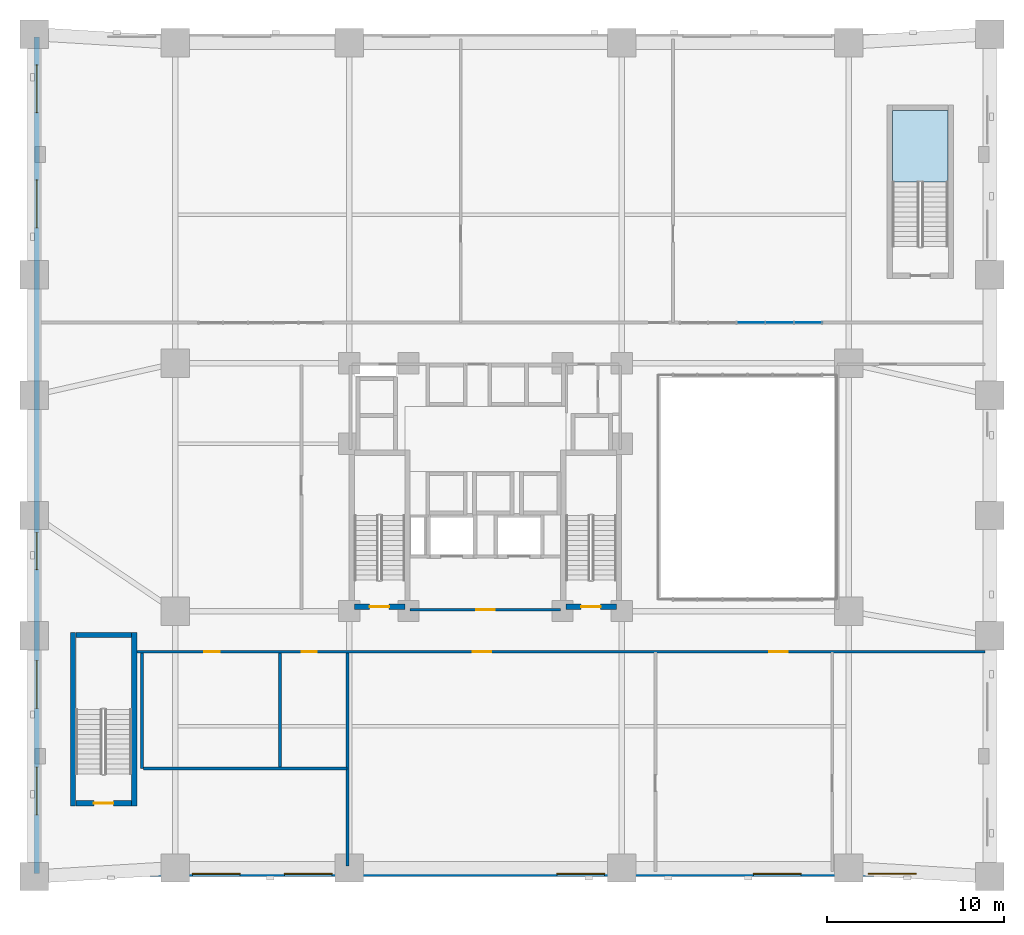
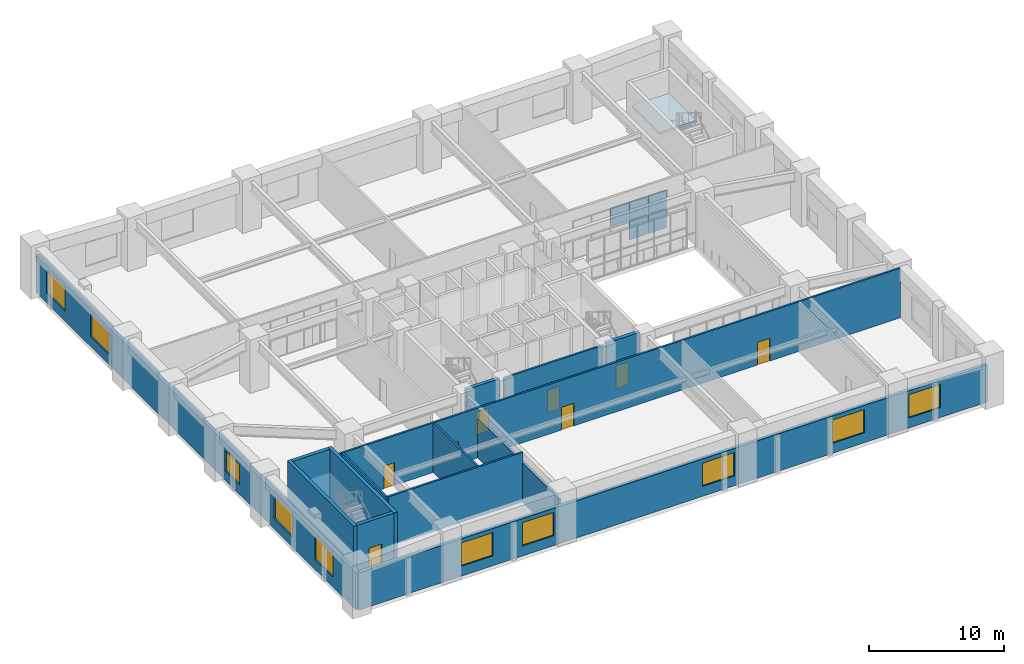
# One storey, part 6 of 13: 14 walls, 10 windows, 8 doors, 5 plates, 1 slab, 18 openings, 2 elements without a shape of their own.
"""IFC4 building model written with IfcOpenShell, lengths in metres."""

from ifc_helpers import new_model, si_unit, derived_unit, direction, frame, frame_2d, origin, origin_2d, place, context, subcontext, project, spatial, polyline, rectangle, outline, extrude, material, layer, layer_set, type_object, element, fill, aggregate, save


model = new_model("IFC4")

# Units and contexts
model_context = context("Model", 3, precision=1e-05, world=origin(), true_north=direction((0.0, 1.0)))
body_context = subcontext(model_context, "Body", "Model", "MODEL_VIEW")
ifc_project = project(units=[si_unit("LENGTHUNIT", "METRE"), si_unit("AREAUNIT", "SQUARE_METRE"), si_unit("VOLUMEUNIT", "CUBIC_METRE"), si_unit("PLANEANGLEUNIT", "RADIAN"), si_unit("MASSUNIT", "GRAM", prefix="KILO"), derived_unit("THERMALTRANSMITTANCEUNIT", [(si_unit("MASSUNIT", "GRAM", prefix="KILO"), 1), (si_unit("TIMEUNIT", "SECOND"), -3), (si_unit("THERMODYNAMICTEMPERATUREUNIT", "KELVIN"), -1)])], contexts=[model_context])

# Site, building, storey
site_placement = place(None, origin())
site = spatial("IfcSite", under=ifc_project, at=site_placement, CompositionType="ELEMENT")
building_placement = place(site_placement, origin())
building = spatial("IfcBuilding", under=site, at=building_placement, Name="Korrvale Station Residences", CompositionType="ELEMENT")
storey_placement = place(building_placement, frame((0.0, 0.0, 11.199951171875)))
storey = spatial("IfcBuildingStorey", under=building, at=storey_placement, Name="L02", CompositionType="ELEMENT", Elevation=11.199951171875)

# Curtain wall, plates
ifc_material_1 = material(Name="Unitised thermally broken aluminium curtain wall with triple low-e IGU", Category="aluminium")
curtain_wall_type = type_object("IfcCurtainWallType", Name="CW-STN-CON", PredefinedType="NOTDEFINED", material=ifc_material_1)
curtain_wall_placement = place(storey_placement, origin())
curtain_wall = element("IfcCurtainWall", 1, at=curtain_wall_placement, inside=storey, type_object=curtain_wall_type, Name="L02 Curtain Wall CW2-RUN-6", PredefinedType="NOTDEFINED")
ifc_material_2 = material(Name="Triple-glazed low-e argon insulated glass unit", Category="glass")
ifc_layer_1 = layer(ifc_material_2, 0.035888671875, Name="Triple-glazed low-e argon insulated glass unit")
ifc_layer_set_1 = layer_set([ifc_layer_1], Name="Triple-glazed low-e argon insulated glass unit")
plate_type = type_object("IfcPlateType", Name="CW-STN-CON-P", PredefinedType="CURTAIN_PANEL", material=ifc_layer_set_1)
plate_1_placement = place(storey_placement, frame((40.5, 31.300048828125, 1.830078125), z_axis=(0.0, 0.0, 1.0), x_axis=(1.0, 0.0, 0.0)))
plate_1 = element("IfcPlate", 2, at=plate_1_placement, type_object=plate_type, Name="CW-STN-CON Glazing Panel 3-2", PredefinedType="CURTAIN_PANEL", context=body_context, shape_type="SweptSolid", body=[
    extrude(rectangle(XDim=1.56005859375, YDim=0.035888671875, at=origin_2d()), origin(), (0.0, 0.0, 1.0), 1.639892578125),
])
plate_2_placement = place(storey_placement, frame((42.1201171875, 31.300048828125, 0.0302734375), z_axis=(0.0, 0.0, 1.0), x_axis=(1.0, 0.0, 0.0)))
plate_2 = element("IfcPlate", 3, at=plate_2_placement, type_object=plate_type, Name="CW-STN-CON Glazing Panel 4-1", PredefinedType="CURTAIN_PANEL", context=body_context, shape_type="SweptSolid", body=[
    extrude(rectangle(XDim=1.56005859375, YDim=0.035888671875, at=origin_2d()), origin(), (0.0, 0.0, 1.0), 1.739990234375),
])
plate_3_placement = place(storey_placement, frame((42.1201171875, 31.300048828125, 1.830078125), z_axis=(0.0, 0.0, 1.0), x_axis=(1.0, 0.0, 0.0)))
plate_3 = element("IfcPlate", 4, at=plate_3_placement, type_object=plate_type, Name="CW-STN-CON Glazing Panel 4-2", PredefinedType="CURTAIN_PANEL", context=body_context, shape_type="SweptSolid", body=[
    extrude(rectangle(XDim=1.56005859375, YDim=0.035888671875, at=origin_2d()), origin(), (0.0, 0.0, 1.0), 1.639892578125),
])
plate_4_placement = place(storey_placement, frame((43.739990234375, 31.300048828125, 0.0302734375), z_axis=(0.0, 0.0, 1.0), x_axis=(1.0, 0.0, 0.0)))
plate_4 = element("IfcPlate", 5, at=plate_4_placement, type_object=plate_type, Name="CW-STN-CON Glazing Panel 5-1", PredefinedType="CURTAIN_PANEL", context=body_context, shape_type="SweptSolid", body=[
    extrude(rectangle(XDim=1.56005859375, YDim=0.035888671875, at=origin_2d()), origin(), (0.0, 0.0, 1.0), 1.739990234375),
])
plate_5_placement = place(storey_placement, frame((43.739990234375, 31.300048828125, 1.830078125), z_axis=(0.0, 0.0, 1.0), x_axis=(1.0, 0.0, 0.0)))
plate_5 = element("IfcPlate", 6, at=plate_5_placement, type_object=plate_type, Name="CW-STN-CON Glazing Panel 5-2", PredefinedType="CURTAIN_PANEL", context=body_context, shape_type="SweptSolid", body=[
    extrude(rectangle(XDim=1.56005859375, YDim=0.035888671875, at=origin_2d()), origin(), (0.0, 0.0, 1.0), 1.639892578125),
])
aggregate(curtain_wall, [plate_1, plate_2, plate_3, plate_4, plate_5])

# Stair, slab
ifc_material_3 = material(Name="Concrete C50/60", Category="concrete")
stair_type = type_object("IfcStairType", Name="STR-DL-1500-28R-1714", PredefinedType="HALF_TURN_STAIR", material=ifc_material_3)
stair_placement = place(storey_placement, origin())
stair = element("IfcStair", 7, at=stair_placement, inside=storey, type_object=stair_type, Name="L02 Station Exit Stair 4", PredefinedType="HALF_TURN_STAIR")
ifc_layer_2 = layer(ifc_material_3, 0.199951171875, Name="Concrete C50/60")
ifc_layer_set_2 = layer_set([ifc_layer_2], Name="Concrete C50/60")
slab_type = type_object("IfcSlabType", Name="SLB-LND-200", PredefinedType="LANDING", material=ifc_layer_set_2)
slab_placement = place(storey_placement, frame((0.0, 0.0, 2.199951171875)))
slab = element("IfcSlab", 8, at=slab_placement, type_object=slab_type, Name="ST-4 landing 1", PredefinedType="LANDING", context=body_context, shape_type="SweptSolid", body=[
    extrude(outline(polyline([(51.64990234375, 39.239990234375), (51.64990234375, 43.300048828125), (48.5, 43.300048828125), (48.5, 39.239990234375), (51.64990234375, 39.239990234375)])), origin(), (0.0, 0.0, 1.0), 0.2001953125),
])
aggregate(stair, [slab])

# Wall, opening, door
ifc_material_4 = material(Name="Concrete C70/85", Category="concrete")
ifc_layer_3 = layer(ifc_material_4, 0.300048828125, Name="Concrete C70/85")
ifc_layer_set_3 = layer_set([ifc_layer_3], Name="Concrete C70/85")
wall_type_1 = type_object("IfcWallType", Name="WAL-CORE-300-C70", PredefinedType="SHEAR", material=ifc_layer_set_3)
wall_1_placement = place(storey_placement, frame((18.10009765625, 15.25, 0.0), z_axis=(0.0, 0.0, 1.0), x_axis=(1.0, 0.0, 0.0)))
wall_1 = element("IfcWall", 9, at=wall_1_placement, inside=storey, type_object=wall_type_1, Name="L02 ST-1 Core Shear Wall South", PredefinedType="SHEAR", context=body_context, shape_type="SweptSolid", body=[
    extrude(rectangle(XDim=2.849853515625, YDim=0.300048828125, at=frame_2d((1.4248046875, 0.0))), origin(), (0.0, 0.0, 1.0), 4.47998046875),
])
opening_1_placement = place(wall_1_placement, frame((0.860107421875, 0.0, 0.0)))
opening_1 = element("IfcOpeningElement", 10, at=opening_1_placement, cuts=wall_1, Name="Opening SD-1100", PredefinedType="OPENING", context=body_context, shape_type="SweptSolid", body=[
    extrude(rectangle(XDim=1.10009765625, YDim=2.050048828125, at=frame_2d((0.550048828125, 1.02490234375))), frame((0.0, 0.16015625, 0.0), z_axis=(0.0, -1.0, 0.0), x_axis=(1.0, 0.0, 0.0)), (0.0, 0.0, 1.0), 0.320068359375),
])
ifc_material_5 = material(Name="Hollow-metal fire-rated stair door with closer", Category="steel")
door_type_1 = type_object("IfcDoorType", Name="DR-STAIR-1100", OperationType="NOTDEFINED", PredefinedType="DOOR", material=ifc_material_5)
door_1_placement = place(opening_1_placement, origin())
door_1 = element("IfcDoor", 11, at=door_1_placement, inside=storey, type_object=door_type_1, Name="L02 ST-1 Exit Stair Door", OperationType="SINGLE_SWING_LEFT", OverallHeight=2.050048828125, OverallWidth=1.10009765625, PredefinedType="DOOR", context=body_context, shape_type="SweptSolid", body=[
    extrude(rectangle(XDim=1.10009765625, YDim=2.050048828125, at=frame_2d((0.550048828125, 1.02490234375))), frame((0.0, 0.02490234375, 0.0), z_axis=(0.0, -1.0, 0.0), x_axis=(1.0, 0.0, 0.0)), (0.0, 0.0, 1.0), 0.050048828125),
])
fill(opening_1, door_1)

wall_2_placement = place(storey_placement, frame((30.050048828125, 15.25, 0.0), z_axis=(0.0, 0.0, 1.0), x_axis=(1.0, 0.0, 0.0)))
wall_2 = element("IfcWall", 12, at=wall_2_placement, inside=storey, type_object=wall_type_1, Name="L02 ST-2 Core Shear Wall South", PredefinedType="SHEAR", context=body_context, shape_type="SweptSolid", body=[
    extrude(rectangle(XDim=2.849853515625, YDim=0.300048828125, at=frame_2d((1.4248046875, 0.0))), origin(), (0.0, 0.0, 1.0), 4.47998046875),
])
opening_2_placement = place(wall_2_placement, frame((0.860107421875, 0.0, 0.0)))
opening_2 = element("IfcOpeningElement", 13, at=opening_2_placement, cuts=wall_2, Name="Opening SD-1100", PredefinedType="OPENING", context=body_context, shape_type="SweptSolid", body=[
    extrude(rectangle(XDim=1.10009765625, YDim=2.050048828125, at=frame_2d((0.550048828125, 1.02490234375))), frame((0.0, 0.16015625, 0.0), z_axis=(0.0, -1.0, 0.0), x_axis=(1.0, 0.0, 0.0)), (0.0, 0.0, 1.0), 0.320068359375),
])
door_2_placement = place(opening_2_placement, origin())
door_2 = element("IfcDoor", 14, at=door_2_placement, inside=storey, type_object=door_type_1, Name="L02 ST-2 Exit Stair Door", OperationType="SINGLE_SWING_RIGHT", OverallHeight=2.050048828125, OverallWidth=1.10009765625, PredefinedType="DOOR", context=body_context, shape_type="SweptSolid", body=[
    extrude(rectangle(XDim=1.10009765625, YDim=2.050048828125, at=frame_2d((0.550048828125, 1.02490234375))), frame((0.0, 0.02490234375, 0.0), z_axis=(0.0, -1.0, 0.0), x_axis=(1.0, 0.0, 0.0)), (0.0, 0.0, 1.0), 0.050048828125),
])
fill(opening_2, door_2)

# Walls
for number, where, z_axis, x_axis, name in (
    (15, (2.199951171875, 4.0, 0.0), (0.0, 0.0, 1.0), (0.0, 1.0, 0.0), "L02 ST-3 Core Shear Wall West"),
    (16, (5.64990234375, 4.0, 0.0), (0.0, 0.0, 1.0), (0.0, 1.0, 0.0), "L02 ST-3 Core Shear Wall East"),
):
    element("IfcWall", number, at=place(storey_placement, frame(where, z_axis=z_axis, x_axis=x_axis)), inside=storey, type_object=wall_type_1, Name=name, PredefinedType="SHEAR", context=body_context, shape_type="SweptSolid", body=[
        extrude(rectangle(XDim=9.800048828125, YDim=0.300048828125, at=frame_2d((4.89990234375, 0.0))), origin(), (0.0, 0.0, 1.0), 4.47998046875),
    ])
wall_3_placement = place(storey_placement, frame((2.35009765625, 13.64990234375, 0.0), z_axis=(0.0, 0.0, 1.0), x_axis=(1.0, 0.0, 0.0)))
element("IfcWall", 17, at=wall_3_placement, inside=storey, type_object=wall_type_1, Name="L02 ST-3 Core Shear Wall North", PredefinedType="SHEAR", context=body_context, shape_type="SweptSolid", body=[
    extrude(rectangle(XDim=3.14990234375, YDim=0.300048828125, at=frame_2d((1.574951171875, 0.0))), origin(), (0.0, 0.0, 1.0), 4.47998046875),
])

# Wall, opening, door
wall_4_placement = place(storey_placement, frame((2.35009765625, 4.14990234375, 0.0), z_axis=(0.0, 0.0, 1.0), x_axis=(1.0, 0.0, 0.0)))
wall_4 = element("IfcWall", 18, at=wall_4_placement, inside=storey, type_object=wall_type_1, Name="L02 ST-3 Core Shear Wall South", PredefinedType="SHEAR", context=body_context, shape_type="SweptSolid", body=[
    extrude(rectangle(XDim=3.14990234375, YDim=0.300048828125, at=frame_2d((1.574951171875, 0.0))), origin(), (0.0, 0.0, 1.0), 4.47998046875),
])
opening_3_placement = place(wall_4_placement, frame((1.02001953125, 0.0, 0.0)))
opening_3 = element("IfcOpeningElement", 19, at=opening_3_placement, cuts=wall_4, Name="Opening SD-1100", PredefinedType="OPENING", context=body_context, shape_type="SweptSolid", body=[
    extrude(rectangle(XDim=1.10009765625, YDim=2.050048828125, at=frame_2d((0.550048828125, 1.02490234375))), frame((0.0, 0.16015625, 0.0), z_axis=(0.0, -1.0, 0.0), x_axis=(1.0, 0.0, 0.0)), (0.0, 0.0, 1.0), 0.320068359375),
])
door_3_placement = place(opening_3_placement, origin())
door_3 = element("IfcDoor", 20, at=door_3_placement, inside=storey, type_object=door_type_1, Name="L02 ST-3 Exit Stair Door", OperationType="SINGLE_SWING_LEFT", OverallHeight=2.050048828125, OverallWidth=1.10009765625, PredefinedType="DOOR", context=body_context, shape_type="SweptSolid", body=[
    extrude(rectangle(XDim=1.10009765625, YDim=2.050048828125, at=frame_2d((0.550048828125, 1.02490234375))), frame((0.0, 0.02490234375, 0.0), z_axis=(0.0, -1.0, 0.0), x_axis=(1.0, 0.0, 0.0)), (0.0, 0.0, 1.0), 0.050048828125),
])
fill(opening_3, door_3)

# Wall, openings, windows
ifc_material_6 = material(Name="Precast concrete C45/55", Category="concrete")
ifc_layer_4 = layer(ifc_material_6, 0.300048828125, Name="Precast concrete C45/55")
ifc_layer_set_4 = layer_set([ifc_layer_4], Name="Precast concrete C45/55")
wall_type_2 = type_object("IfcWallType", Name="WAL-EXT-PC300", PredefinedType="SOLIDWALL", material=ifc_layer_set_4)
wall_5_placement = place(storey_placement, frame((53.840087890625, 0.14990234375, 0.0), z_axis=(0.0, 0.0, 1.0), x_axis=(-1.0, 0.0, 0.0)))
wall_5 = element("IfcWall", 21, at=wall_5_placement, inside=storey, type_object=wall_type_2, Name="L02 South Exterior Precast Wall 1", PredefinedType="SOLIDWALL", context=body_context, shape_type="SweptSolid", body=[
    extrude(rectangle(XDim=53.68017578125, YDim=0.300048828125, at=frame_2d((26.840087890625, 0.0))), origin(), (0.0, 0.0, 1.0), 3.364990234375),
])
opening_4_placement = place(wall_5_placement, frame((4.0, 0.0, 0.89990234375)))
opening_4 = element("IfcOpeningElement", 22, at=opening_4_placement, cuts=wall_5, Name="Opening W-07", PredefinedType="OPENING", context=body_context, shape_type="SweptSolid", body=[
    extrude(rectangle(XDim=2.699951171875, YDim=2.10009765625, at=frame_2d((1.35009765625, 1.050048828125))), frame((0.0, 0.16015625, 0.0), z_axis=(0.0, -1.0, 0.0), x_axis=(1.0, 0.0, 0.0)), (0.0, 0.0, 1.0), 0.320068359375),
])
opening_5_placement = place(wall_5_placement, frame((10.5, 0.0, 0.89990234375)))
opening_5 = element("IfcOpeningElement", 23, at=opening_5_placement, cuts=wall_5, Name="Opening W-07", PredefinedType="OPENING", context=body_context, shape_type="SweptSolid", body=[
    extrude(rectangle(XDim=2.699951171875, YDim=2.10009765625, at=frame_2d((1.35009765625, 1.050048828125))), frame((0.0, 0.16015625, 0.0), z_axis=(0.0, -1.0, 0.0), x_axis=(1.0, 0.0, 0.0)), (0.0, 0.0, 1.0), 0.320068359375),
])
opening_6_placement = place(wall_5_placement, frame((21.60009765625, 0.0, 0.89990234375)))
opening_6 = element("IfcOpeningElement", 24, at=opening_6_placement, cuts=wall_5, Name="Opening W-07", PredefinedType="OPENING", context=body_context, shape_type="SweptSolid", body=[
    extrude(rectangle(XDim=2.699951171875, YDim=2.10009765625, at=frame_2d((1.35009765625, 1.050048828125))), frame((0.0, 0.16015625, 0.0), z_axis=(0.0, -1.0, 0.0), x_axis=(1.0, 0.0, 0.0)), (0.0, 0.0, 1.0), 0.320068359375),
])
opening_7_placement = place(wall_5_placement, frame((37.0, 0.0, 0.89990234375)))
opening_7 = element("IfcOpeningElement", 25, at=opening_7_placement, cuts=wall_5, Name="Opening W-07", PredefinedType="OPENING", context=body_context, shape_type="SweptSolid", body=[
    extrude(rectangle(XDim=2.699951171875, YDim=2.10009765625, at=frame_2d((1.35009765625, 1.050048828125))), frame((0.0, 0.16015625, 0.0), z_axis=(0.0, -1.0, 0.0), x_axis=(1.0, 0.0, 0.0)), (0.0, 0.0, 1.0), 0.320068359375),
])
opening_8_placement = place(wall_5_placement, frame((42.199951171875, 0.0, 0.89990234375)))
opening_8 = element("IfcOpeningElement", 26, at=opening_8_placement, cuts=wall_5, Name="Opening W-07", PredefinedType="OPENING", context=body_context, shape_type="SweptSolid", body=[
    extrude(rectangle(XDim=2.699951171875, YDim=2.10009765625, at=frame_2d((1.35009765625, 1.050048828125))), frame((0.0, 0.16015625, 0.0), z_axis=(0.0, -1.0, 0.0), x_axis=(1.0, 0.0, 0.0)), (0.0, 0.0, 1.0), 0.320068359375),
])
ifc_material_7 = material(Name="Thermally broken aluminium frame with triple low-e glazing", Category="aluminium")
window_type_1 = type_object("IfcWindowType", Name="WIN-W07", PartitioningType="TRIPLE_PANEL_VERTICAL", PredefinedType="WINDOW", material=ifc_material_7)
window_1_placement = place(opening_4_placement, origin())
window_1 = element("IfcWindow", 27, at=window_1_placement, inside=storey, type_object=window_type_1, Name="L02 Station Concourse Punched Window 11", OverallHeight=2.10009765625, OverallWidth=2.699951171875, PartitioningType="TRIPLE_PANEL_VERTICAL", PredefinedType="WINDOW", context=body_context, shape_type="SweptSolid", body=[
    extrude(rectangle(XDim=2.699951171875, YDim=2.10009765625, at=frame_2d((1.35009765625, 1.050048828125))), frame((0.0, 0.030029296875, 0.0), z_axis=(0.0, -1.0, 0.0), x_axis=(1.0, 0.0, 0.0)), (0.0, 0.0, 1.0), 0.06005859375),
])
fill(opening_4, window_1)
window_2_placement = place(opening_5_placement, origin())
window_2 = element("IfcWindow", 28, at=window_2_placement, inside=storey, type_object=window_type_1, Name="L02 Station Concourse Punched Window 12", OverallHeight=2.10009765625, OverallWidth=2.699951171875, PartitioningType="TRIPLE_PANEL_VERTICAL", PredefinedType="WINDOW", context=body_context, shape_type="SweptSolid", body=[
    extrude(rectangle(XDim=2.699951171875, YDim=2.10009765625, at=frame_2d((1.35009765625, 1.050048828125))), frame((0.0, 0.030029296875, 0.0), z_axis=(0.0, -1.0, 0.0), x_axis=(1.0, 0.0, 0.0)), (0.0, 0.0, 1.0), 0.06005859375),
])
fill(opening_5, window_2)
window_3_placement = place(opening_6_placement, origin())
window_3 = element("IfcWindow", 29, at=window_3_placement, inside=storey, type_object=window_type_1, Name="L02 Station Concourse Punched Window 13", OverallHeight=2.10009765625, OverallWidth=2.699951171875, PartitioningType="TRIPLE_PANEL_VERTICAL", PredefinedType="WINDOW", context=body_context, shape_type="SweptSolid", body=[
    extrude(rectangle(XDim=2.699951171875, YDim=2.10009765625, at=frame_2d((1.35009765625, 1.050048828125))), frame((0.0, 0.030029296875, 0.0), z_axis=(0.0, -1.0, 0.0), x_axis=(1.0, 0.0, 0.0)), (0.0, 0.0, 1.0), 0.06005859375),
])
fill(opening_6, window_3)
window_4_placement = place(opening_7_placement, origin())
window_4 = element("IfcWindow", 30, at=window_4_placement, inside=storey, type_object=window_type_1, Name="L02 Station Concourse Punched Window 14", OverallHeight=2.10009765625, OverallWidth=2.699951171875, PartitioningType="TRIPLE_PANEL_VERTICAL", PredefinedType="WINDOW", context=body_context, shape_type="SweptSolid", body=[
    extrude(rectangle(XDim=2.699951171875, YDim=2.10009765625, at=frame_2d((1.35009765625, 1.050048828125))), frame((0.0, 0.030029296875, 0.0), z_axis=(0.0, -1.0, 0.0), x_axis=(1.0, 0.0, 0.0)), (0.0, 0.0, 1.0), 0.06005859375),
])
fill(opening_7, window_4)
window_5_placement = place(opening_8_placement, origin())
window_5 = element("IfcWindow", 31, at=window_5_placement, inside=storey, type_object=window_type_1, Name="L02 Station Concourse Punched Window 15", OverallHeight=2.10009765625, OverallWidth=2.699951171875, PartitioningType="TRIPLE_PANEL_VERTICAL", PredefinedType="WINDOW", context=body_context, shape_type="SweptSolid", body=[
    extrude(rectangle(XDim=2.699951171875, YDim=2.10009765625, at=frame_2d((1.35009765625, 1.050048828125))), frame((0.0, 0.030029296875, 0.0), z_axis=(0.0, -1.0, 0.0), x_axis=(1.0, 0.0, 0.0)), (0.0, 0.0, 1.0), 0.06005859375),
])
fill(opening_8, window_5)

wall_6_placement = place(storey_placement, frame((0.14990234375, 0.159912109375, 0.0), z_axis=(0.0, 0.0, 1.0), x_axis=(0.0, 1.0, 0.0)))
wall_6 = element("IfcWall", 32, at=wall_6_placement, inside=storey, type_object=wall_type_2, Name="L02 West Exterior Precast Wall 1", PredefinedType="SOLIDWALL", context=body_context, shape_type="SweptSolid", body=[
    extrude(rectangle(XDim=47.280029296875, YDim=0.300048828125, at=frame_2d((23.64013671875, 0.0))), origin(), (0.0, 0.0, 1.0), 3.364990234375),
])
opening_9_placement = place(wall_6_placement, frame((3.330078125, 0.0, 0.89990234375)))
opening_9 = element("IfcOpeningElement", 33, at=opening_9_placement, cuts=wall_6, Name="Opening W-07", PredefinedType="OPENING", context=body_context, shape_type="SweptSolid", body=[
    extrude(rectangle(XDim=2.699951171875, YDim=2.10009765625, at=frame_2d((1.35009765625, 1.050048828125))), frame((0.0, 0.16015625, 0.0), z_axis=(0.0, -1.0, 0.0), x_axis=(1.0, 0.0, 0.0)), (0.0, 0.0, 1.0), 0.320068359375),
])
opening_10_placement = place(wall_6_placement, frame((9.340087890625, 0.0, 0.89990234375)))
opening_10 = element("IfcOpeningElement", 34, at=opening_10_placement, cuts=wall_6, Name="Opening W-07", PredefinedType="OPENING", context=body_context, shape_type="SweptSolid", body=[
    extrude(rectangle(XDim=2.699951171875, YDim=2.10009765625, at=frame_2d((1.35009765625, 1.050048828125))), frame((0.0, 0.16015625, 0.0), z_axis=(0.0, -1.0, 0.0), x_axis=(1.0, 0.0, 0.0)), (0.0, 0.0, 1.0), 0.320068359375),
])
opening_11_placement = place(wall_6_placement, frame((17.179931640625, 0.0, 0.85009765625)))
opening_11 = element("IfcOpeningElement", 35, at=opening_11_placement, cuts=wall_6, Name="Opening W-02", PredefinedType="OPENING", context=body_context, shape_type="SweptSolid", body=[
    extrude(rectangle(XDim=2.10009765625, YDim=1.85009765625, at=frame_2d((1.050048828125, 0.925048828125))), frame((0.0, 0.16015625, 0.0), z_axis=(0.0, -1.0, 0.0), x_axis=(1.0, 0.0, 0.0)), (0.0, 0.0, 1.0), 0.320068359375),
])
opening_12_placement = place(wall_6_placement, frame((36.5, 0.0, 0.89990234375)))
opening_12 = element("IfcOpeningElement", 36, at=opening_12_placement, cuts=wall_6, Name="Opening W-07", PredefinedType="OPENING", context=body_context, shape_type="SweptSolid", body=[
    extrude(rectangle(XDim=2.699951171875, YDim=2.10009765625, at=frame_2d((1.35009765625, 1.050048828125))), frame((0.0, 0.16015625, 0.0), z_axis=(0.0, -1.0, 0.0), x_axis=(1.0, 0.0, 0.0)), (0.0, 0.0, 1.0), 0.320068359375),
])
opening_13_placement = place(wall_6_placement, frame((43.0, 0.0, 0.89990234375)))
opening_13 = element("IfcOpeningElement", 37, at=opening_13_placement, cuts=wall_6, Name="Opening W-07", PredefinedType="OPENING", context=body_context, shape_type="SweptSolid", body=[
    extrude(rectangle(XDim=2.699951171875, YDim=2.10009765625, at=frame_2d((1.35009765625, 1.050048828125))), frame((0.0, 0.16015625, 0.0), z_axis=(0.0, -1.0, 0.0), x_axis=(1.0, 0.0, 0.0)), (0.0, 0.0, 1.0), 0.320068359375),
])
window_type_2 = type_object("IfcWindowType", Name="WIN-W02", PartitioningType="DOUBLE_PANEL_VERTICAL", PredefinedType="WINDOW", material=ifc_material_7)
window_6_placement = place(opening_11_placement, origin())
window_6 = element("IfcWindow", 38, at=window_6_placement, inside=storey, type_object=window_type_2, Name="L02 Station Concourse Punched Window 18", OverallHeight=1.85009765625, OverallWidth=2.10009765625, PartitioningType="DOUBLE_PANEL_VERTICAL", PredefinedType="WINDOW", context=body_context, shape_type="SweptSolid", body=[
    extrude(rectangle(XDim=2.10009765625, YDim=1.85009765625, at=frame_2d((1.050048828125, 0.925048828125))), frame((0.0, 0.030029296875, 0.0), z_axis=(0.0, -1.0, 0.0), x_axis=(1.0, 0.0, 0.0)), (0.0, 0.0, 1.0), 0.06005859375),
])
fill(opening_11, window_6)
window_7_placement = place(opening_9_placement, origin())
window_7 = element("IfcWindow", 39, at=window_7_placement, inside=storey, type_object=window_type_1, Name="L02 Station Concourse Punched Window 16", OverallHeight=2.10009765625, OverallWidth=2.699951171875, PartitioningType="TRIPLE_PANEL_VERTICAL", PredefinedType="WINDOW", context=body_context, shape_type="SweptSolid", body=[
    extrude(rectangle(XDim=2.699951171875, YDim=2.10009765625, at=frame_2d((1.35009765625, 1.050048828125))), frame((0.0, 0.030029296875, 0.0), z_axis=(0.0, -1.0, 0.0), x_axis=(1.0, 0.0, 0.0)), (0.0, 0.0, 1.0), 0.06005859375),
])
fill(opening_9, window_7)
window_8_placement = place(opening_10_placement, origin())
window_8 = element("IfcWindow", 40, at=window_8_placement, inside=storey, type_object=window_type_1, Name="L02 Station Concourse Punched Window 17", OverallHeight=2.10009765625, OverallWidth=2.699951171875, PartitioningType="TRIPLE_PANEL_VERTICAL", PredefinedType="WINDOW", context=body_context, shape_type="SweptSolid", body=[
    extrude(rectangle(XDim=2.699951171875, YDim=2.10009765625, at=frame_2d((1.35009765625, 1.050048828125))), frame((0.0, 0.030029296875, 0.0), z_axis=(0.0, -1.0, 0.0), x_axis=(1.0, 0.0, 0.0)), (0.0, 0.0, 1.0), 0.06005859375),
])
fill(opening_10, window_8)
window_9_placement = place(opening_12_placement, origin())
window_9 = element("IfcWindow", 41, at=window_9_placement, inside=storey, type_object=window_type_1, Name="L02 Station Concourse Punched Window 19", OverallHeight=2.10009765625, OverallWidth=2.699951171875, PartitioningType="TRIPLE_PANEL_VERTICAL", PredefinedType="WINDOW", context=body_context, shape_type="SweptSolid", body=[
    extrude(rectangle(XDim=2.699951171875, YDim=2.10009765625, at=frame_2d((1.35009765625, 1.050048828125))), frame((0.0, 0.030029296875, 0.0), z_axis=(0.0, -1.0, 0.0), x_axis=(1.0, 0.0, 0.0)), (0.0, 0.0, 1.0), 0.06005859375),
])
fill(opening_12, window_9)
window_10_placement = place(opening_13_placement, origin())
window_10 = element("IfcWindow", 42, at=window_10_placement, inside=storey, type_object=window_type_1, Name="L02 Station Concourse Punched Window 20", OverallHeight=2.10009765625, OverallWidth=2.699951171875, PartitioningType="TRIPLE_PANEL_VERTICAL", PredefinedType="WINDOW", context=body_context, shape_type="SweptSolid", body=[
    extrude(rectangle(XDim=2.699951171875, YDim=2.10009765625, at=frame_2d((1.35009765625, 1.050048828125))), frame((0.0, 0.030029296875, 0.0), z_axis=(0.0, -1.0, 0.0), x_axis=(1.0, 0.0, 0.0)), (0.0, 0.0, 1.0), 0.06005859375),
])
fill(opening_13, window_10)

# Wall, opening, door
ifc_material_8 = material(Name="Fire-rated twin-stud gypsum and mineral wool shaftwall assembly", Category="gypsum")
ifc_layer_5 = layer(ifc_material_8, 0.159912109375, Name="Fire-rated twin-stud gypsum and mineral wool shaftwall assembly")
ifc_layer_set_5 = layer_set([ifc_layer_5], Name="Fire-rated twin-stud gypsum and mineral wool shaftwall assembly")
wall_type_3 = type_object("IfcWallType", Name="WAL-PART-200", PredefinedType="PARTITIONING", material=ifc_layer_set_5)
wall_7_placement = place(storey_placement, frame((21.25, 15.080078125, 0.0), z_axis=(0.0, 0.0, 1.0), x_axis=(1.0, 0.0, 0.0)))
wall_7 = element("IfcWall", 43, at=wall_7_placement, inside=storey, type_object=wall_type_3, Name="L02 Core Partition CW-FFL-S", PredefinedType="PARTITIONING", context=body_context, shape_type="SweptSolid", body=[
    extrude(rectangle(XDim=8.5, YDim=0.159912109375, at=frame_2d((4.25, 0.0))), origin(), (0.0, 0.0, 1.0), 4.47998046875),
])
opening_14_placement = place(wall_7_placement, frame((3.72509765625, 0.0, 0.0)))
opening_14 = element("IfcOpeningElement", 44, at=opening_14_placement, cuts=wall_7, Name="Opening FD-1050", PredefinedType="OPENING", context=body_context, shape_type="SweptSolid", body=[
    extrude(rectangle(XDim=1.050048828125, YDim=2.050048828125, at=frame_2d((0.52490234375, 1.02490234375))), frame((0.0, 0.08984375, 0.0), z_axis=(0.0, -1.0, 0.0), x_axis=(1.0, 0.0, 0.0)), (0.0, 0.0, 1.0), 0.179931640625),
])
ifc_material_9 = material(Name="Fire-rated mineral-core timber lobby door", Category="wood")
door_type_2 = type_object("IfcDoorType", Name="DR-CORE-1050", OperationType="NOTDEFINED", PredefinedType="DOOR", material=ifc_material_9)
door_4_placement = place(opening_14_placement, origin())
door_4 = element("IfcDoor", 45, at=door_4_placement, inside=storey, type_object=door_type_2, Name="L02 Firefighting Lobby Entry Door", OperationType="SINGLE_SWING_RIGHT", OverallHeight=2.050048828125, OverallWidth=1.050048828125, PredefinedType="DOOR", context=body_context, shape_type="SweptSolid", body=[
    extrude(rectangle(XDim=1.050048828125, YDim=2.050048828125, at=frame_2d((0.52490234375, 1.02490234375))), frame((0.0, 0.02490234375, 0.0), z_axis=(0.0, -1.0, 0.0), x_axis=(1.0, 0.0, 0.0)), (0.0, 0.0, 1.0), 0.050048828125),
])
fill(opening_14, door_4)

# Wall, openings, doors
wall_8_placement = place(storey_placement, frame((5.800048828125, 12.699951171875, 0.0), z_axis=(0.0, 0.0, 1.0), x_axis=(1.0, 0.0, 0.0)))
wall_8 = element("IfcWall", 46, at=wall_8_placement, inside=storey, type_object=wall_type_3, Name="L02 Interior Partition W-PS", PredefinedType="PARTITIONING", context=body_context, shape_type="SweptSolid", body=[
    extrude(rectangle(XDim=47.919921875, YDim=0.159912109375, at=frame_2d((23.9599609375, 0.0))), origin(), (0.0, 0.0, 1.0), 4.47998046875),
])
opening_15_placement = place(wall_8_placement, frame((3.800048828125, 0.0, 0.0)))
opening_15 = element("IfcOpeningElement", 47, at=opening_15_placement, cuts=wall_8, Name="Opening DI-900", PredefinedType="OPENING", context=body_context, shape_type="SweptSolid", body=[
    extrude(rectangle(XDim=0.89990234375, YDim=2.050048828125, at=frame_2d((0.449951171875, 1.02490234375))), frame((0.0, 0.08984375, 0.0), z_axis=(0.0, -1.0, 0.0), x_axis=(1.0, 0.0, 0.0)), (0.0, 0.0, 1.0), 0.179931640625),
])
opening_16_placement = place(wall_8_placement, frame((9.320068359375, 0.0, 0.0)))
opening_16 = element("IfcOpeningElement", 48, at=opening_16_placement, cuts=wall_8, Name="Opening DB-860", PredefinedType="OPENING", context=body_context, shape_type="SweptSolid", body=[
    extrude(rectangle(XDim=0.860107421875, YDim=2.050048828125, at=frame_2d((0.43017578125, 1.02490234375))), frame((0.0, 0.08984375, 0.0), z_axis=(0.0, -1.0, 0.0), x_axis=(1.0, 0.0, 0.0)), (0.0, 0.0, 1.0), 0.179931640625),
])
opening_17_placement = place(wall_8_placement, frame((18.97509765625, 0.0, 0.0)))
opening_17 = element("IfcOpeningElement", 49, at=opening_17_placement, cuts=wall_8, Name="Opening FD-1050", PredefinedType="OPENING", context=body_context, shape_type="SweptSolid", body=[
    extrude(rectangle(XDim=1.050048828125, YDim=2.050048828125, at=frame_2d((0.52490234375, 1.02490234375))), frame((0.0, 0.08984375, 0.0), z_axis=(0.0, -1.0, 0.0), x_axis=(1.0, 0.0, 0.0)), (0.0, 0.0, 1.0), 0.179931640625),
])
opening_18_placement = place(wall_8_placement, frame((35.72509765625, 0.0, 0.0)))
opening_18 = element("IfcOpeningElement", 50, at=opening_18_placement, cuts=wall_8, Name="Opening FD-1050", PredefinedType="OPENING", context=body_context, shape_type="SweptSolid", body=[
    extrude(rectangle(XDim=1.050048828125, YDim=2.050048828125, at=frame_2d((0.52490234375, 1.02490234375))), frame((0.0, 0.08984375, 0.0), z_axis=(0.0, -1.0, 0.0), x_axis=(1.0, 0.0, 0.0)), (0.0, 0.0, 1.0), 0.179931640625),
])
ifc_material_10 = material(Name="Moisture-resistant solid-core bathroom door", Category="timber")
door_type_3 = type_object("IfcDoorType", Name="DR-BATH-860", OperationType="NOTDEFINED", PredefinedType="DOOR", material=ifc_material_10)
door_5_placement = place(opening_16_placement, origin())
door_5 = element("IfcDoor", 51, at=door_5_placement, inside=storey, type_object=door_type_3, Name="L02 Universal Washroom Door", OperationType="SINGLE_SWING_RIGHT", OverallHeight=2.050048828125, OverallWidth=0.860107421875, PredefinedType="DOOR", context=body_context, shape_type="SweptSolid", body=[
    extrude(rectangle(XDim=0.860107421875, YDim=2.050048828125, at=frame_2d((0.43017578125, 1.02490234375))), frame((0.0, 0.02490234375, 0.0), z_axis=(0.0, -1.0, 0.0), x_axis=(1.0, 0.0, 0.0)), (0.0, 0.0, 1.0), 0.050048828125),
])
fill(opening_16, door_5)
door_6_placement = place(opening_17_placement, origin())
door_6 = element("IfcDoor", 52, at=door_6_placement, inside=storey, type_object=door_type_2, Name="L02 South Hall Entry Door 1", OperationType="SINGLE_SWING_LEFT", OverallHeight=2.050048828125, OverallWidth=1.050048828125, PredefinedType="DOOR", context=body_context, shape_type="SweptSolid", body=[
    extrude(rectangle(XDim=1.050048828125, YDim=2.050048828125, at=frame_2d((0.52490234375, 1.02490234375))), frame((0.0, 0.02490234375, 0.0), z_axis=(0.0, -1.0, 0.0), x_axis=(1.0, 0.0, 0.0)), (0.0, 0.0, 1.0), 0.050048828125),
])
fill(opening_17, door_6)
door_7_placement = place(opening_18_placement, origin())
door_7 = element("IfcDoor", 53, at=door_7_placement, inside=storey, type_object=door_type_2, Name="L02 South Hall Entry Door 2", OperationType="SINGLE_SWING_RIGHT", OverallHeight=2.050048828125, OverallWidth=1.050048828125, PredefinedType="DOOR", context=body_context, shape_type="SweptSolid", body=[
    extrude(rectangle(XDim=1.050048828125, YDim=2.050048828125, at=frame_2d((0.52490234375, 1.02490234375))), frame((0.0, 0.02490234375, 0.0), z_axis=(0.0, -1.0, 0.0), x_axis=(1.0, 0.0, 0.0)), (0.0, 0.0, 1.0), 0.050048828125),
])
fill(opening_18, door_7)
ifc_material_11 = material(Name="Painted solid-core timber interior room door", Category="wood")
door_type_4 = type_object("IfcDoorType", Name="DR-INT-900", OperationType="NOTDEFINED", PredefinedType="DOOR", material=ifc_material_11)
door_8_placement = place(opening_15_placement, origin())
door_8 = element("IfcDoor", 54, at=door_8_placement, inside=storey, type_object=door_type_4, Name="L02 Podium Public Washrooms Door", OperationType="SINGLE_SWING_LEFT", OverallHeight=2.050048828125, OverallWidth=0.89990234375, PredefinedType="DOOR", context=body_context, shape_type="SweptSolid", body=[
    extrude(rectangle(XDim=0.89990234375, YDim=2.050048828125, at=frame_2d((0.449951171875, 1.02490234375))), frame((0.0, 0.02490234375, 0.0), z_axis=(0.0, -1.0, 0.0), x_axis=(1.0, 0.0, 0.0)), (0.0, 0.0, 1.0), 0.050048828125),
])
fill(opening_15, door_8)

# Walls
wall_9_placement = place(storey_placement, frame((6.10009765625, 6.10009765625, 0.0), z_axis=(0.0, 0.0, 1.0), x_axis=(0.0, 1.0, 0.0)))
element("IfcWall", 55, at=wall_9_placement, inside=storey, type_object=wall_type_3, Name="L02 Interior Partition W-WC-W", PredefinedType="PARTITIONING", context=body_context, shape_type="SweptSolid", body=[
    extrude(rectangle(XDim=6.52001953125, YDim=0.159912109375, at=frame_2d((3.260009765625, 0.0))), origin(), (0.0, 0.0, 1.0), 4.47998046875),
])
wall_10_placement = place(storey_placement, frame((6.179931640625, 6.10009765625, 0.0), z_axis=(0.0, 0.0, 1.0), x_axis=(1.0, 0.0, 0.0)))
element("IfcWall", 56, at=wall_10_placement, inside=storey, type_object=wall_type_3, Name="L02 Interior Partition W-WC-S", PredefinedType="PARTITIONING", context=body_context, shape_type="SweptSolid", body=[
    extrude(rectangle(XDim=11.5, YDim=0.159912109375, at=frame_2d((5.75, 0.0))), origin(), (0.0, 0.0, 1.0), 4.47998046875),
])
wall_11_placement = place(storey_placement, frame((13.89990234375, 6.179931640625, 0.0), z_axis=(0.0, 0.0, 1.0), x_axis=(0.0, 1.0, 0.0)))
element("IfcWall", 57, at=wall_11_placement, inside=storey, type_object=wall_type_3, Name="L02 Interior Partition W-WC-M", PredefinedType="PARTITIONING", context=body_context, shape_type="SweptSolid", body=[
    extrude(rectangle(XDim=6.440185546875, YDim=0.159912109375, at=frame_2d((3.22021484375, 0.0))), origin(), (0.0, 0.0, 1.0), 4.47998046875),
])
wall_12_placement = place(storey_placement, frame((17.699951171875, 0.60009765625, 0.0), z_axis=(0.0, 0.0, 1.0), x_axis=(0.0, 1.0, 0.0)))
element("IfcWall", 58, at=wall_12_placement, inside=storey, type_object=wall_type_3, Name="L02 Interior Partition W-WC-E", PredefinedType="PARTITIONING", context=body_context, shape_type="SweptSolid", body=[
    extrude(rectangle(XDim=12.02001953125, YDim=0.159912109375, at=frame_2d((6.010009765625, 0.0))), origin(), (0.0, 0.0, 1.0), 3.56494140625),
])

save(model, "model.ifc")
